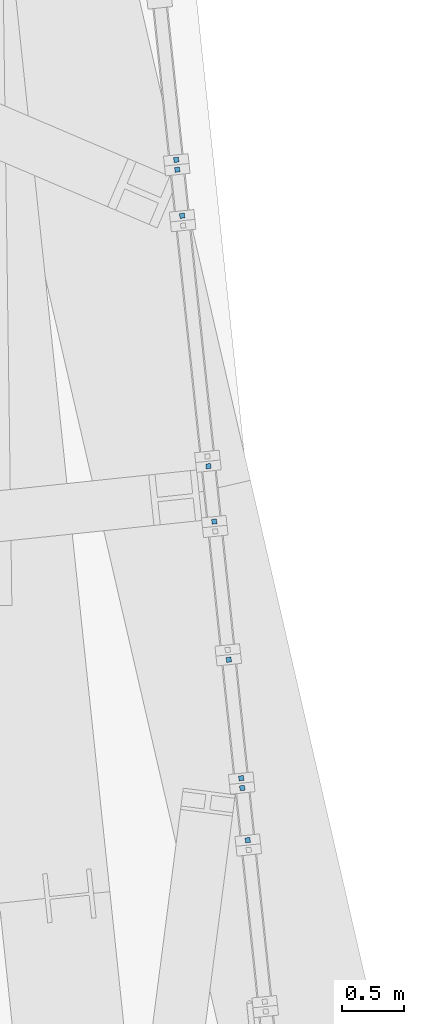
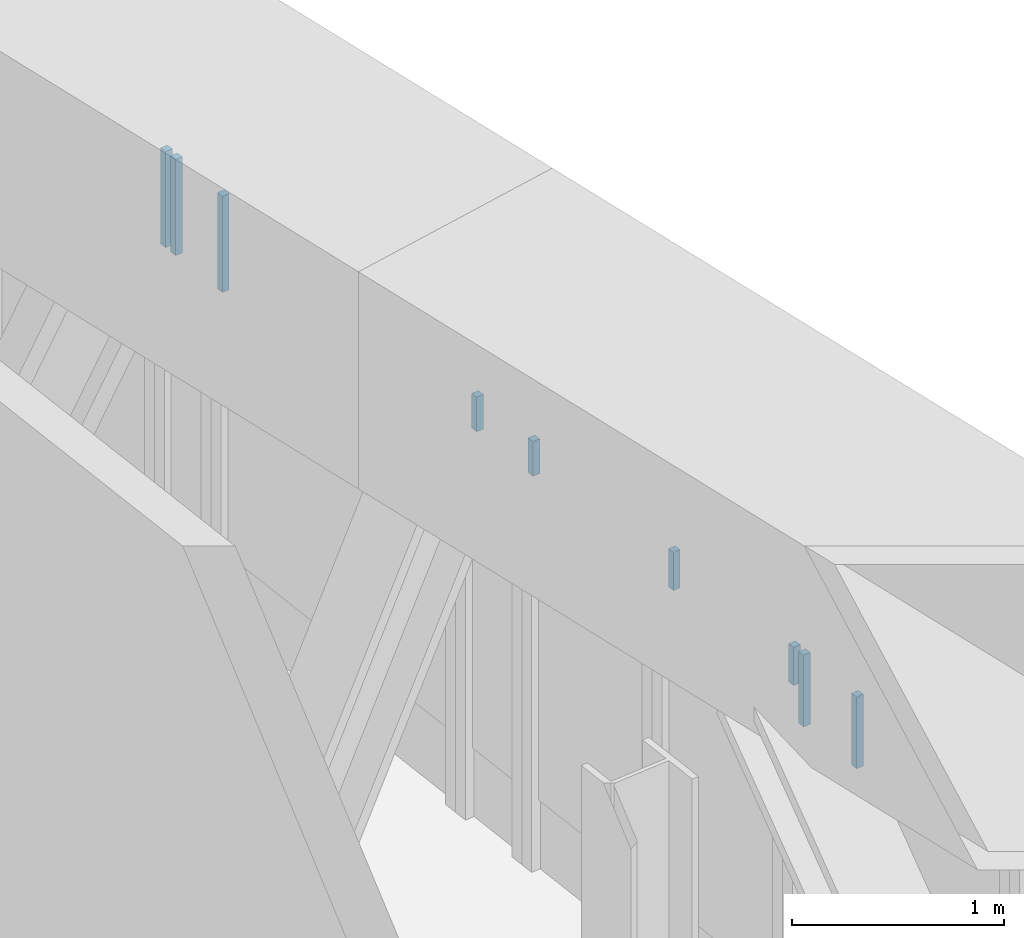
# One storey, part 23 of 30: 9 discrete accessories.
"""IFC4 building model written with IfcOpenShell, lengths in metres."""

from ifc_helpers import new_model, si_unit, direction, frame, origin, origin_2d, place, context, subcontext, project, spatial, rectangle, extrude, source, transform, mapped, material, element, save


model = new_model("IFC4")

# Units and contexts
model_context = context("Model", 3, precision=1e-05, world=origin(), true_north=direction((0.0, 1.0)))
body_context = subcontext(model_context, "Body", "Model", "MODEL_VIEW")
ifc_project = project(units=[si_unit("LENGTHUNIT", "METRE"), si_unit("AREAUNIT", "SQUARE_METRE"), si_unit("VOLUMEUNIT", "CUBIC_METRE"), si_unit("PLANEANGLEUNIT", "RADIAN"), si_unit("MASSUNIT", "GRAM", prefix="KILO")], contexts=[model_context])

# Site, building, storey
site_placement = place(None, origin())
site = spatial("IfcSite", under=ifc_project, at=site_placement, CompositionType="ELEMENT")
building_placement = place(site_placement, origin())
building = spatial("IfcBuilding", under=site, at=building_placement, Name="Triune Harvest Tower", CompositionType="ELEMENT")
storey_placement = place(building_placement, frame((0.0, 0.0, 94.5)))
storey = spatial("IfcBuildingStorey", under=building, at=storey_placement, Name="L23", CompositionType="ELEMENT", Elevation=94.5)

# Discrete accessories
ifc_material = material(Name="Steel ASTM A992 Gr 50", Category="steel")
shared_shape_1 = source(origin(), body_context, "Body", "SweptSolid", [
    extrude(rectangle(XDim=0.0400390625, YDim=0.0400390625, at=origin_2d()), origin(), (0.0, 0.0, 1.0), 0.4130859375),
])
for number, where, z_axis, x_axis, name in (
    (1, (24.35302734375, -14.560302734375, 1.97705078125), (0.0, 0.0, 1.0), (-0.104643023272, 0.994509847955, 0.0), "Mullion end bracket B2-F1 L23.801 upper"),
    (2, (24.30859375, -14.137939453125, 1.97705078125), (0.0, 0.0, 1.0), (-0.104643023272, 0.994509847955, 0.0), "Mullion end bracket B2-F1 L23.801 upper"),
):
    element("IfcDiscreteAccessory", number, at=place(storey_placement, frame(where, z_axis=z_axis, x_axis=x_axis)), inside=storey, material=ifc_material, Name=name, ObjectType="BRACKET", PredefinedType="USERDEFINED", context=body_context, shape_type="MappedRepresentation", body=[
        mapped(shared_shape_1, transform((0.0, 0.0, 0.0), scale=1.0)),
    ])
shared_shape_2 = source(origin(), body_context, "Body", "SweptSolid", [
    extrude(rectangle(XDim=0.0400390625, YDim=0.0400390625, at=origin_2d()), origin(), (0.0, 0.0, 1.0), 0.219970703125),
])
for number, where, z_axis, x_axis, name in (
    (3, (24.30029296875, -14.058349609375, 2.169921875), (0.0, 0.0, 1.0), (-0.104530199036, 0.99452171293, 0.0), "Mullion end bracket B2-F1 L23.901 upper"),
    (4, (24.199462890625, -13.09814453125, 2.169921875), (0.0, 0.0, 1.0), (-0.104530199036, 0.99452171293, 0.0), "Mullion end bracket B2-F1 L23.901 upper"),
):
    element("IfcDiscreteAccessory", number, at=place(storey_placement, frame(where, z_axis=z_axis, x_axis=x_axis)), inside=storey, material=ifc_material, Name=name, ObjectType="BRACKET", PredefinedType="USERDEFINED", context=body_context, shape_type="MappedRepresentation", body=[
        mapped(shared_shape_2, transform((0.0, 0.0, 0.0), scale=1.0)),
    ])
shared_shape_3 = source(origin(), body_context, "Body", "SweptSolid", [
    extrude(rectangle(XDim=0.0400390625, YDim=0.0400390625, at=origin_2d()), origin(), (0.0, 0.0, 1.0), 0.2001953125),
])
for number, where, z_axis, x_axis, name in (
    (5, (24.081787109375, -11.978515625, 2.18994140625), (0.0, 0.0, 1.0), (-0.10442084503, 0.994533200614, 0.0), "Mullion end bracket B2-F1 L23.1101 upper"),
    (6, (24.03466796875, -11.529541015625, 2.18994140625), (0.0, 0.0, 1.0), (-0.10442084503, 0.994533200614, 0.0), "Mullion end bracket B2-F1 L23.1101 upper"),
):
    element("IfcDiscreteAccessory", number, at=place(storey_placement, frame(where, z_axis=z_axis, x_axis=x_axis)), inside=storey, material=ifc_material, Name=name, ObjectType="BRACKET", PredefinedType="USERDEFINED", context=body_context, shape_type="MappedRepresentation", body=[
        mapped(shared_shape_3, transform((0.0, 0.0, 0.0), scale=1.0)),
    ])
shared_shape_4 = source(origin(), body_context, "Body", "SweptSolid", [
    extrude(rectangle(XDim=0.0400390625, YDim=0.0400390625, at=origin_2d()), origin(), (0.0, 0.0, 1.0), 0.553955078125),
])
for number, where, z_axis, x_axis, name in (
    (7, (23.8212890625, -9.5, 1.8359375), (0.0, 0.0, 1.0), (-0.104455560724, 0.994529555033, 0.0), "Mullion end bracket B2-F1 L23.1301 upper"),
    (8, (23.781982421875, -9.12646484375, 1.8359375), (0.0, 0.0, 1.0), (-0.104455560724, 0.994529555033, 0.0), "Mullion end bracket B2-F1 L23.1301 upper"),
    (9, (23.773681640625, -9.046875, 1.8359375), (0.0, 0.0, 1.0), (-0.104516312883, 0.99452317235, 0.0), "Mullion end bracket B2-F1 L23.1401 upper"),
):
    element("IfcDiscreteAccessory", number, at=place(storey_placement, frame(where, z_axis=z_axis, x_axis=x_axis)), inside=storey, material=ifc_material, Name=name, ObjectType="BRACKET", PredefinedType="USERDEFINED", context=body_context, shape_type="MappedRepresentation", body=[
        mapped(shared_shape_4, transform((0.0, 0.0, 0.0), scale=1.0)),
    ])

save(model, "model.ifc")
